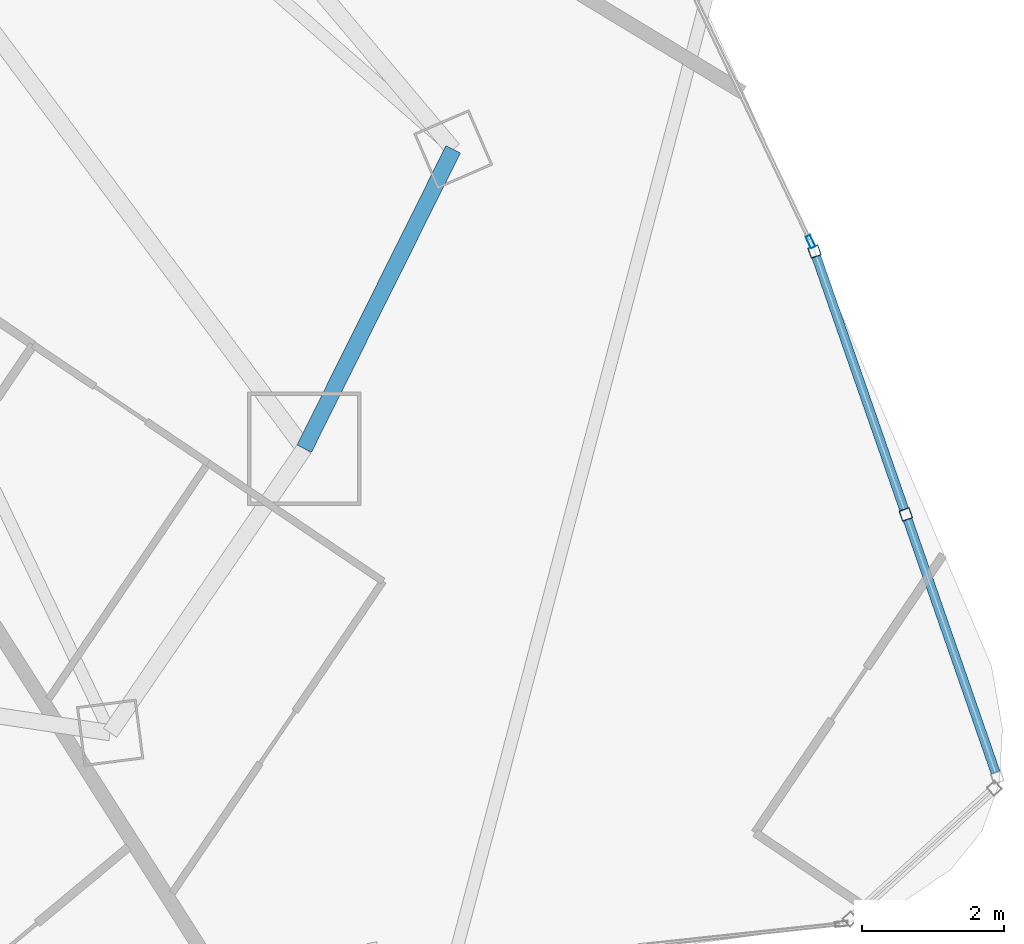
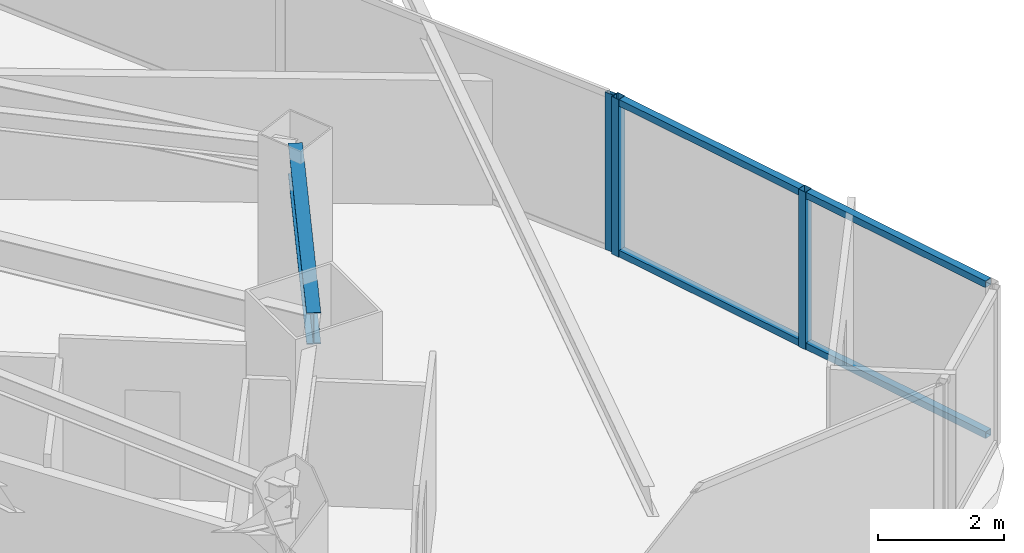
# One storey, part 18 of 38: 7 members, 1 beam, 2 elements without a shape of their own.
"""IFC4 building model written with IfcOpenShell, lengths in metres."""

from ifc_helpers import new_model, si_unit, direction, frame, origin, origin_2d, place, context, subcontext, project, spatial, hollow_rectangle, i_section, extrude, material, layer, layer_set, material_profile, profile_set, type_object, element, aggregate, save


model = new_model("IFC4")

# Units and contexts
model_context = context("Model", 3, precision=1e-05, world=origin(), true_north=direction((0.0, 1.0)))
body_context = subcontext(model_context, "Body", "Model", "MODEL_VIEW")
ifc_project = project(units=[si_unit("LENGTHUNIT", "METRE"), si_unit("AREAUNIT", "SQUARE_METRE"), si_unit("VOLUMEUNIT", "CUBIC_METRE"), si_unit("PLANEANGLEUNIT", "RADIAN"), si_unit("MASSUNIT", "GRAM", prefix="KILO")], contexts=[model_context])

# Site, building, storey
site_placement = place(None, origin())
site = spatial("IfcSite", under=ifc_project, at=site_placement, CompositionType="ELEMENT")
building_placement = place(site_placement, origin())
building = spatial("IfcBuilding", under=site, at=building_placement, Name="Orvanel Arch Residences", CompositionType="ELEMENT")
storey_placement = place(building_placement, frame((0.0, 0.0, 50.0)))
storey = spatial("IfcBuildingStorey", under=building, at=storey_placement, Name="L13", CompositionType="ELEMENT", Elevation=50.0)

# Curtain wall, members
ifc_material_1 = material(Name="Bronze-anodised aluminium AA6063-T6", Category="aluminium")
ifc_layer_1 = layer(ifc_material_1, 0.18994140625)
ifc_layer_set_1 = layer_set([ifc_layer_1], Name="Bronze-anodised aluminium AA6063-T6")
curtain_wall_type_1 = type_object("IfcCurtainWallType", Name="CW5-CRN-SYS", PredefinedType="NOTDEFINED", material=ifc_layer_set_1)
curtain_wall_1_placement = place(storey_placement, origin())
curtain_wall_1 = element("IfcCurtainWall", 1, at=curtain_wall_1_placement, inside=storey, type_object=curtain_wall_type_1, Name="L13 CW5-CRN-SYS Unitised Curtain Wall", PredefinedType="NOTDEFINED")
ifc_material_profile_1 = material_profile(ifc_material_1, hollow_rectangle(XDim=0.14990234375, YDim=0.14990234375, WallThickness=0.0048828125, at=origin_2d()), Name="ALU150x150x5")
ifc_profile_set_1 = profile_set([ifc_material_profile_1], Name="Bronze-anodised aluminium AA6063-T6")
member_type_1 = type_object("IfcMemberType", Name="MUL-150x150", PredefinedType="MULLION", material=ifc_profile_set_1)
member_1_placement = place(storey_placement, frame((60.298095703125, 9.422607421875, 0.0), z_axis=(0.0, 0.0, 1.0), x_axis=(-0.944601133748, -0.328220502288, 0.0)))
member_1 = element("IfcMember", 2, at=member_1_placement, type_object=member_type_1, Name="CW-S5 mullion 2", PredefinedType="MULLION", context=body_context, shape_type="SweptSolid", body=[
    extrude(hollow_rectangle(XDim=0.14990234375, YDim=0.14990234375, WallThickness=0.0048828125, at=origin_2d()), origin(), (0.0, 0.0, 1.0), 3.06005859375),
])
member_2_placement = place(storey_placement, frame((59.007568359375, 13.13623046875, 0.0), z_axis=(0.0, 0.0, 1.0), x_axis=(-0.944601133748, -0.328220502288, 0.0)))
member_2 = element("IfcMember", 3, at=member_2_placement, type_object=member_type_1, Name="CW-S5 mullion 3", PredefinedType="MULLION", context=body_context, shape_type="SweptSolid", body=[
    extrude(hollow_rectangle(XDim=0.14990234375, YDim=0.14990234375, WallThickness=0.0048828125, at=origin_2d()), origin(), (0.0, 0.0, 1.0), 3.06005859375),
])

# Curtain wall, member
ifc_layer_2 = layer(ifc_material_1, 0.179931640625)
ifc_layer_set_2 = layer_set([ifc_layer_2], Name="Bronze-anodised aluminium AA6063-T6")
curtain_wall_type_2 = type_object("IfcCurtainWallType", Name="CW2-LOW-SYS", PredefinedType="NOTDEFINED", material=ifc_layer_set_2)
curtain_wall_2_placement = place(storey_placement, origin())
curtain_wall_2 = element("IfcCurtainWall", 4, at=curtain_wall_2_placement, inside=storey, type_object=curtain_wall_type_2, Name="L13 CW2-LOW-SYS Unitised Curtain Wall", PredefinedType="NOTDEFINED")
ifc_material_profile_2 = material_profile(ifc_material_1, hollow_rectangle(XDim=0.070068359375, YDim=0.179931640625, WallThickness=0.00439453125, at=origin_2d()), Name="ALU180x70x4.5")
ifc_profile_set_2 = profile_set([ifc_material_profile_2], Name="Bronze-anodised aluminium AA6063-T6")
member_type_2 = type_object("IfcMemberType", Name="MUL-180x70", PredefinedType="MULLION", material=ifc_profile_set_2)
member_3_placement = place(storey_placement, frame((58.951904296875, 13.275634765625, 0.0), z_axis=(0.0, 0.0, 1.0), x_axis=(-0.903580469731, -0.42841841081, 0.0)))
member_3 = element("IfcMember", 5, at=member_3_placement, type_object=member_type_2, Name="CW-S2 mullion 1", PredefinedType="MULLION", context=body_context, shape_type="SweptSolid", body=[
    extrude(hollow_rectangle(XDim=0.070068359375, YDim=0.179931640625, WallThickness=0.00439453125, at=origin_2d()), origin(), (0.0, 0.0, 1.0), 3.06005859375),
])
aggregate(curtain_wall_2, [member_3])

# Beam
ifc_material_2 = material(Name="Structural steel AS/NZS 3679.1 Grade 300 (300 MPa)", Category="steel")
ifc_material_profile_3 = material_profile(ifc_material_2, i_section(OverallWidth=0.22900390625, OverallDepth=0.612060546875, WebThickness=0.011962890625, FlangeThickness=0.01953125, at=origin_2d()), Name="610UB125")
ifc_profile_set_3 = profile_set([ifc_material_profile_3], Name="Structural steel AS/NZS 3679.1 Grade 300 (300 MPa)")
beam_type = type_object("IfcBeamType", Name="SP-610UB", PredefinedType="SPANDREL", material=ifc_profile_set_3)
beam_placement = place(storey_placement, frame((51.801025390625, 10.35107421875, 2.75390625), z_axis=(0.44543469453, 0.895314432425, 0.0), x_axis=(-0.895314432425, 0.44543469453, 0.0)))
element("IfcBeam", 6, at=beam_placement, inside=storey, type_object=beam_type, Name="L13 Perimeter Spandrel Beam 11", PredefinedType="SPANDREL", context=body_context, shape_type="SweptSolid", body=[
    extrude(i_section(OverallWidth=0.22900390625, OverallDepth=0.612060546875, WebThickness=0.011962890625, FlangeThickness=0.01953125, at=origin_2d()), origin(), (0.0, 0.0, 1.0), 4.723388671875),
])

# Member
ifc_material_profile_4 = material_profile(ifc_material_1, hollow_rectangle(XDim=0.1298828125, YDim=0.1298828125, WallThickness=0.00439453125, at=origin_2d()), Name="ALU130x130x4.5")
ifc_profile_set_4 = profile_set([ifc_material_profile_4], Name="Bronze-anodised aluminium AA6063-T6")
member_type_3 = type_object("IfcMemberType", Name="TRN-130x130", PredefinedType="USERDEFINED", material=ifc_profile_set_4)
member_4_placement = place(storey_placement, frame((61.563720703125, 5.77978515625, 0.06494140625), z_axis=(-0.328250155674, 0.944590829566, 0.0), x_axis=(-0.944590829566, -0.328250155674, 0.0)))
member_4 = element("IfcMember", 7, at=member_4_placement, type_object=member_type_3, Name="CW-S5 transom 1.1", ObjectType="TRANSOM", PredefinedType="USERDEFINED", context=body_context, shape_type="SweptSolid", body=[
    extrude(hollow_rectangle(XDim=0.1298828125, YDim=0.1298828125, WallThickness=0.00439453125, at=origin_2d()), origin(), (0.0, 0.0, 1.0), 3.78125),
])

member_5_placement = place(storey_placement, frame((61.563720703125, 5.77978515625, 2.9951171875), z_axis=(-0.328250155674, 0.944590829566, 0.0), x_axis=(-0.944590829566, -0.328250155674, 0.0)))
member_5 = element("IfcMember", 8, at=member_5_placement, type_object=member_type_3, Name="CW-S5 transom 1.2", ObjectType="TRANSOM", PredefinedType="USERDEFINED", context=body_context, shape_type="SweptSolid", body=[
    extrude(hollow_rectangle(XDim=0.1298828125, YDim=0.1298828125, WallThickness=0.00439453125, at=origin_2d()), origin(), (0.0, 0.0, 1.0), 3.78125),
])

member_6_placement = place(storey_placement, frame((60.2734375, 9.493408203125, 0.06494140625), z_axis=(-0.328230137559, 0.944597785726, 0.0), x_axis=(-0.944597785726, -0.328230137559, 0.0)))
member_6 = element("IfcMember", 9, at=member_6_placement, type_object=member_type_3, Name="CW-S5 transom 2.1", ObjectType="TRANSOM", PredefinedType="USERDEFINED", context=body_context, shape_type="SweptSolid", body=[
    extrude(hollow_rectangle(XDim=0.1298828125, YDim=0.1298828125, WallThickness=0.00439453125, at=origin_2d()), origin(), (0.0, 0.0, 1.0), 3.781494140625),
])

member_7_placement = place(storey_placement, frame((60.2734375, 9.493408203125, 2.9951171875), z_axis=(-0.328230137559, 0.944597785726, 0.0), x_axis=(-0.944597785726, -0.328230137559, 0.0)))
member_7 = element("IfcMember", 10, at=member_7_placement, type_object=member_type_3, Name="CW-S5 transom 2.2", ObjectType="TRANSOM", PredefinedType="USERDEFINED", context=body_context, shape_type="SweptSolid", body=[
    extrude(hollow_rectangle(XDim=0.1298828125, YDim=0.1298828125, WallThickness=0.00439453125, at=origin_2d()), origin(), (0.0, 0.0, 1.0), 3.781494140625),
])

aggregate(curtain_wall_1, [member_1, member_2, member_4, member_5, member_6, member_7])

save(model, "model.ifc")
